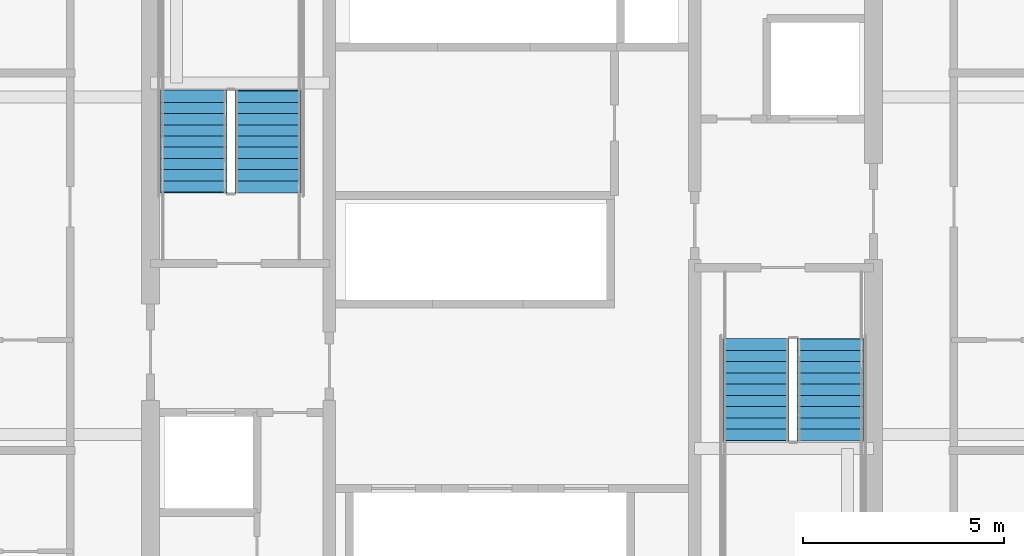
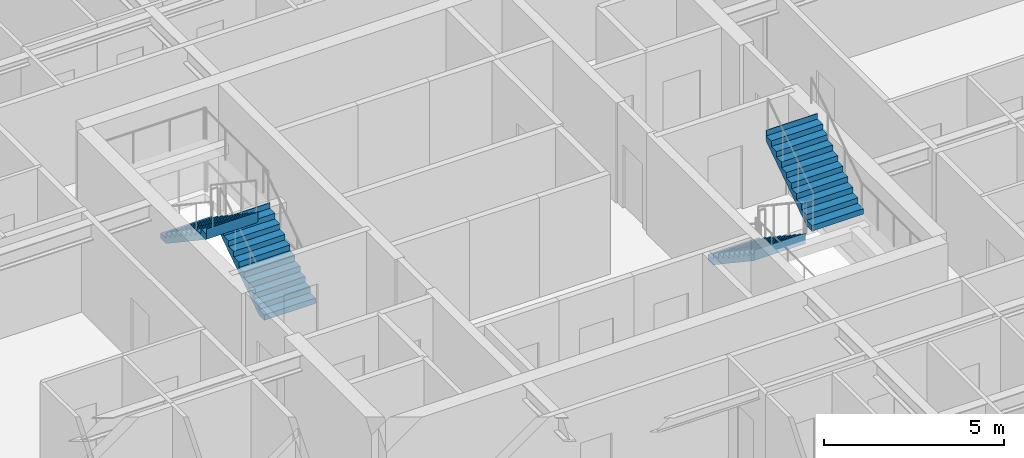
# One storey, part 33 of 40: 4 stair flights, 2 elements without a shape of their own.
"""IFC4 building model written with IfcOpenShell, lengths in metres."""

from ifc_helpers import new_model, si_unit, direction, frame, origin, place, context, subcontext, project, spatial, polygons, material, type_object, element, aggregate, save


model = new_model("IFC4")

# Units and contexts
model_context = context("Model", 3, precision=1e-05, world=origin(), true_north=direction((0.0, 1.0)))
body_context = subcontext(model_context, "Body", "Model", "MODEL_VIEW")
ifc_project = project(units=[si_unit("LENGTHUNIT", "METRE"), si_unit("AREAUNIT", "SQUARE_METRE"), si_unit("VOLUMEUNIT", "CUBIC_METRE"), si_unit("PLANEANGLEUNIT", "RADIAN"), si_unit("MASSUNIT", "GRAM", prefix="KILO")], contexts=[model_context])

# Site, building, storey
site_placement = place(None, origin())
site = spatial("IfcSite", under=ifc_project, at=site_placement, CompositionType="ELEMENT")
building_placement = place(site_placement, origin())
building = spatial("IfcBuilding", under=site, at=building_placement, Name="Serunith Strait Residences", CompositionType="ELEMENT")
storey_placement = place(building_placement, frame((0.0, 0.0, 105.449951171875)))
storey = spatial("IfcBuildingStorey", under=building, at=storey_placement, Name="L26", CompositionType="ELEMENT", Elevation=105.449951171875)

# Stair, stair flights
ifc_material = material(Name="Concrete C50/60", Category="concrete")
stair_type_1 = type_object("IfcStairType", Name="STR-CORE-1", PredefinedType="HALF_TURN_STAIR", material=ifc_material)
stair_1_placement = place(storey_placement, origin())
stair_1 = element("IfcStair", 1, at=stair_1_placement, inside=storey, type_object=stair_type_1, Name="L26 Protected Escape Stair ST-1", PredefinedType="HALF_TURN_STAIR")
stair_flight_type_1 = type_object("IfcStairFlightType", Name="FLT-CORE-1", PredefinedType="STRAIGHT", material=ifc_material)
stair_flight_1_placement = place(storey_placement, frame((26.324951171875, 27.030029296875, 0.0), z_axis=(0.0, 0.0, 1.0), x_axis=(0.0, 1.0, 0.0)))
stair_flight_1 = element("IfcStairFlight", 2, at=stair_flight_1_placement, type_object=stair_flight_type_1, Name="ST-1 flight 1", NumberOfRisers=10, NumberOfTreads=9, PredefinedType="STRAIGHT", RiserHeight=0.1875, TreadLength=0.28, context=body_context, shape_type="Tessellation", body=[
    polygons([(-0.02001953125, -0.824951171875, 0.0), (-0.02001953125, -0.824951171875, 0.1875), (0.280029296875, -0.824951171875, 0.1875), (0.280029296875, -0.824951171875, 0.375), (0.56005859375, -0.824951171875, 0.375), (0.56005859375, -0.824951171875, 0.5625), (0.840087890625, -0.824951171875, 0.5625), (0.840087890625, -0.824951171875, 0.75), (1.1201171875, -0.824951171875, 0.75), (1.1201171875, -0.824951171875, 0.9375), (1.39990234375, -0.824951171875, 0.9375), (1.39990234375, -0.824951171875, 1.125), (1.679931640625, -0.824951171875, 1.125), (1.679931640625, -0.824951171875, 1.3125), (1.9599609375, -0.824951171875, 1.3125), (1.9599609375, -0.824951171875, 1.5), (2.239990234375, -0.824951171875, 1.5), (2.239990234375, -0.824951171875, 1.6875), (2.52001953125, -0.824951171875, 1.6875), (2.52001953125, -0.824951171875, 1.875), (2.5400390625, -0.824951171875, 1.875), (2.5400390625, -0.824951171875, 1.81494140625), (2.52001953125, -0.824951171875, 1.507080078125), (0.26953125, -0.824951171875, 0.0), (-0.02001953125, -0.41259765625, 0.0), (-0.02001953125, -0.41259765625, 0.1875), (0.280029296875, -0.41259765625, 0.1875), (0.280029296875, -0.41259765625, 0.375), (0.56005859375, -0.41259765625, 0.375), (0.56005859375, -0.41259765625, 0.5625), (0.840087890625, -0.41259765625, 0.5625), (0.840087890625, -0.41259765625, 0.75), (1.1201171875, -0.41259765625, 0.75), (1.1201171875, -0.41259765625, 0.9375), (1.39990234375, -0.41259765625, 0.9375), (1.39990234375, -0.41259765625, 1.125), (1.679931640625, -0.41259765625, 1.125), (1.679931640625, -0.41259765625, 1.3125), (1.9599609375, -0.41259765625, 1.3125), (1.9599609375, -0.41259765625, 1.5), (2.239990234375, -0.41259765625, 1.5), (2.239990234375, -0.41259765625, 1.6875), (2.52001953125, -0.41259765625, 1.6875), (2.52001953125, -0.41259765625, 1.875), (2.5400390625, -0.41259765625, 1.875), (2.5400390625, -0.41259765625, 1.81494140625), (2.52001953125, -0.41259765625, 1.507080078125), (0.26953125, -0.41259765625, 0.0), (-0.02001953125, 0.0, 0.0), (-0.02001953125, 0.0, 0.1875), (0.280029296875, 0.0, 0.1875), (0.280029296875, 0.0, 0.375), (0.56005859375, 0.0, 0.375), (0.56005859375, 0.0, 0.5625), (0.840087890625, 0.0, 0.5625), (0.840087890625, 0.0, 0.75), (1.1201171875, 0.0, 0.75), (1.1201171875, 0.0, 0.9375), (1.39990234375, 0.0, 0.9375), (1.39990234375, 0.0, 1.125), (1.679931640625, 0.0, 1.125), (1.679931640625, 0.0, 1.3125), (1.9599609375, 0.0, 1.3125), (1.9599609375, 0.0, 1.5), (2.239990234375, 0.0, 1.5), (2.239990234375, 0.0, 1.6875), (2.52001953125, 0.0, 1.6875), (2.52001953125, 0.0, 1.875), (2.5400390625, 0.0, 1.875), (2.5400390625, 0.0, 1.81494140625), (2.52001953125, 0.0, 1.507080078125), (0.26953125, 0.0, 0.0), (-0.02001953125, 0.41259765625, 0.0), (-0.02001953125, 0.41259765625, 0.1875), (0.280029296875, 0.41259765625, 0.1875), (0.280029296875, 0.41259765625, 0.375), (0.56005859375, 0.41259765625, 0.375), (0.56005859375, 0.41259765625, 0.5625), (0.840087890625, 0.41259765625, 0.5625), (0.840087890625, 0.41259765625, 0.75), (1.1201171875, 0.41259765625, 0.75), (1.1201171875, 0.41259765625, 0.9375), (1.39990234375, 0.41259765625, 0.9375), (1.39990234375, 0.41259765625, 1.125), (1.679931640625, 0.41259765625, 1.125), (1.679931640625, 0.41259765625, 1.3125), (1.9599609375, 0.41259765625, 1.3125), (1.9599609375, 0.41259765625, 1.5), (2.239990234375, 0.41259765625, 1.5), (2.239990234375, 0.41259765625, 1.6875), (2.52001953125, 0.41259765625, 1.6875), (2.52001953125, 0.41259765625, 1.875), (2.5400390625, 0.41259765625, 1.875), (2.5400390625, 0.41259765625, 1.81494140625), (2.52001953125, 0.41259765625, 1.507080078125), (0.26953125, 0.41259765625, 0.0), (-0.02001953125, 0.824951171875, 0.0), (-0.02001953125, 0.824951171875, 0.1875), (0.280029296875, 0.824951171875, 0.1875), (0.280029296875, 0.824951171875, 0.375), (0.56005859375, 0.824951171875, 0.375), (0.56005859375, 0.824951171875, 0.5625), (0.840087890625, 0.824951171875, 0.5625), (0.840087890625, 0.824951171875, 0.75), (1.1201171875, 0.824951171875, 0.75), (1.1201171875, 0.824951171875, 0.9375), (1.39990234375, 0.824951171875, 0.9375), (1.39990234375, 0.824951171875, 1.125), (1.679931640625, 0.824951171875, 1.125), (1.679931640625, 0.824951171875, 1.3125), (1.9599609375, 0.824951171875, 1.3125), (1.9599609375, 0.824951171875, 1.5), (2.239990234375, 0.824951171875, 1.5), (2.239990234375, 0.824951171875, 1.6875), (2.52001953125, 0.824951171875, 1.6875), (2.52001953125, 0.824951171875, 1.875), (2.5400390625, 0.824951171875, 1.875), (2.5400390625, 0.824951171875, 1.81494140625), (2.52001953125, 0.824951171875, 1.507080078125), (0.26953125, 0.824951171875, 0.0)], [[[1, 2, 26, 25]], [[2, 3, 27, 26]], [[3, 4, 28, 27]], [[4, 5, 29, 28]], [[5, 6, 30, 29]], [[6, 7, 31, 30]], [[7, 8, 32, 31]], [[8, 9, 33, 32]], [[9, 10, 34, 33]], [[10, 11, 35, 34]], [[11, 12, 36, 35]], [[12, 13, 37, 36]], [[13, 14, 38, 37]], [[14, 15, 39, 38]], [[15, 16, 40, 39]], [[16, 17, 41, 40]], [[17, 18, 42, 41]], [[18, 19, 43, 42]], [[19, 20, 44, 43]], [[20, 21, 45, 44]], [[21, 22, 46, 45]], [[22, 23, 47, 46]], [[23, 24, 48, 47]], [[24, 1, 25, 48]], [[25, 26, 50, 49]], [[26, 27, 51, 50]], [[27, 28, 52, 51]], [[28, 29, 53, 52]], [[29, 30, 54, 53]], [[30, 31, 55, 54]], [[31, 32, 56, 55]], [[32, 33, 57, 56]], [[33, 34, 58, 57]], [[34, 35, 59, 58]], [[35, 36, 60, 59]], [[36, 37, 61, 60]], [[37, 38, 62, 61]], [[38, 39, 63, 62]], [[39, 40, 64, 63]], [[40, 41, 65, 64]], [[41, 42, 66, 65]], [[42, 43, 67, 66]], [[43, 44, 68, 67]], [[44, 45, 69, 68]], [[45, 46, 70, 69]], [[46, 47, 71, 70]], [[47, 48, 72, 71]], [[48, 25, 49, 72]], [[49, 50, 74, 73]], [[50, 51, 75, 74]], [[51, 52, 76, 75]], [[52, 53, 77, 76]], [[53, 54, 78, 77]], [[54, 55, 79, 78]], [[55, 56, 80, 79]], [[56, 57, 81, 80]], [[57, 58, 82, 81]], [[58, 59, 83, 82]], [[59, 60, 84, 83]], [[60, 61, 85, 84]], [[61, 62, 86, 85]], [[62, 63, 87, 86]], [[63, 64, 88, 87]], [[64, 65, 89, 88]], [[65, 66, 90, 89]], [[66, 67, 91, 90]], [[67, 68, 92, 91]], [[68, 69, 93, 92]], [[69, 70, 94, 93]], [[70, 71, 95, 94]], [[71, 72, 96, 95]], [[72, 49, 73, 96]], [[73, 74, 98, 97]], [[74, 75, 99, 98]], [[75, 76, 100, 99]], [[76, 77, 101, 100]], [[77, 78, 102, 101]], [[78, 79, 103, 102]], [[79, 80, 104, 103]], [[80, 81, 105, 104]], [[81, 82, 106, 105]], [[82, 83, 107, 106]], [[83, 84, 108, 107]], [[84, 85, 109, 108]], [[85, 86, 110, 109]], [[86, 87, 111, 110]], [[87, 88, 112, 111]], [[88, 89, 113, 112]], [[89, 90, 114, 113]], [[90, 91, 115, 114]], [[91, 92, 116, 115]], [[92, 93, 117, 116]], [[93, 94, 118, 117]], [[94, 95, 119, 118]], [[95, 96, 120, 119]], [[96, 73, 97, 120]], [[24, 23, 22, 21, 20, 19, 18, 17, 16, 15, 14, 13, 12, 11, 10, 9, 8, 7, 6, 5, 4, 3, 2, 1]], [[97, 98, 99, 100, 101, 102, 103, 104, 105, 106, 107, 108, 109, 110, 111, 112, 113, 114, 115, 116, 117, 118, 119, 120]]], closed=True),
])
stair_flight_2_placement = place(storey_placement, frame((24.47509765625, 29.550048828125, 1.875), z_axis=(0.0, 0.0, 1.0), x_axis=(0.0, -1.0, 0.0)))
stair_flight_2 = element("IfcStairFlight", 3, at=stair_flight_2_placement, type_object=stair_flight_type_1, Name="ST-1 flight 2", NumberOfRisers=10, NumberOfTreads=9, PredefinedType="STRAIGHT", RiserHeight=0.1875, TreadLength=0.28, context=body_context, shape_type="Tessellation", body=[
    polygons([(-0.02001953125, -0.824951171875, 0.0), (-0.02001953125, -0.824951171875, 0.1875), (0.280029296875, -0.824951171875, 0.1875), (0.280029296875, -0.824951171875, 0.375), (0.56005859375, -0.824951171875, 0.375), (0.56005859375, -0.824951171875, 0.5625), (0.840087890625, -0.824951171875, 0.5625), (0.840087890625, -0.824951171875, 0.75), (1.1201171875, -0.824951171875, 0.75), (1.1201171875, -0.824951171875, 0.9375), (1.39990234375, -0.824951171875, 0.9375), (1.39990234375, -0.824951171875, 1.125), (1.679931640625, -0.824951171875, 1.125), (1.679931640625, -0.824951171875, 1.3125), (1.9599609375, -0.824951171875, 1.3125), (1.9599609375, -0.824951171875, 1.5), (2.239990234375, -0.824951171875, 1.5), (2.239990234375, -0.824951171875, 1.6875), (2.52001953125, -0.824951171875, 1.6875), (2.52001953125, -0.824951171875, 1.875), (2.5400390625, -0.824951171875, 1.875), (2.5400390625, -0.824951171875, 1.81494140625), (2.52001953125, -0.824951171875, 1.507080078125), (0.26953125, -0.824951171875, 0.0), (-0.02001953125, -0.41259765625, 0.0), (-0.02001953125, -0.41259765625, 0.1875), (0.280029296875, -0.41259765625, 0.1875), (0.280029296875, -0.41259765625, 0.375), (0.56005859375, -0.41259765625, 0.375), (0.56005859375, -0.41259765625, 0.5625), (0.840087890625, -0.41259765625, 0.5625), (0.840087890625, -0.41259765625, 0.75), (1.1201171875, -0.41259765625, 0.75), (1.1201171875, -0.41259765625, 0.9375), (1.39990234375, -0.41259765625, 0.9375), (1.39990234375, -0.41259765625, 1.125), (1.679931640625, -0.41259765625, 1.125), (1.679931640625, -0.41259765625, 1.3125), (1.9599609375, -0.41259765625, 1.3125), (1.9599609375, -0.41259765625, 1.5), (2.239990234375, -0.41259765625, 1.5), (2.239990234375, -0.41259765625, 1.6875), (2.52001953125, -0.41259765625, 1.6875), (2.52001953125, -0.41259765625, 1.875), (2.5400390625, -0.41259765625, 1.875), (2.5400390625, -0.41259765625, 1.81494140625), (2.52001953125, -0.41259765625, 1.507080078125), (0.26953125, -0.41259765625, 0.0), (-0.02001953125, 0.0, 0.0), (-0.02001953125, 0.0, 0.1875), (0.280029296875, 0.0, 0.1875), (0.280029296875, 0.0, 0.375), (0.56005859375, 0.0, 0.375), (0.56005859375, 0.0, 0.5625), (0.840087890625, 0.0, 0.5625), (0.840087890625, 0.0, 0.75), (1.1201171875, 0.0, 0.75), (1.1201171875, 0.0, 0.9375), (1.39990234375, 0.0, 0.9375), (1.39990234375, 0.0, 1.125), (1.679931640625, 0.0, 1.125), (1.679931640625, 0.0, 1.3125), (1.9599609375, 0.0, 1.3125), (1.9599609375, 0.0, 1.5), (2.239990234375, 0.0, 1.5), (2.239990234375, 0.0, 1.6875), (2.52001953125, 0.0, 1.6875), (2.52001953125, 0.0, 1.875), (2.5400390625, 0.0, 1.875), (2.5400390625, 0.0, 1.81494140625), (2.52001953125, 0.0, 1.507080078125), (0.26953125, 0.0, 0.0), (-0.02001953125, 0.41259765625, 0.0), (-0.02001953125, 0.41259765625, 0.1875), (0.280029296875, 0.41259765625, 0.1875), (0.280029296875, 0.41259765625, 0.375), (0.56005859375, 0.41259765625, 0.375), (0.56005859375, 0.41259765625, 0.5625), (0.840087890625, 0.41259765625, 0.5625), (0.840087890625, 0.41259765625, 0.75), (1.1201171875, 0.41259765625, 0.75), (1.1201171875, 0.41259765625, 0.9375), (1.39990234375, 0.41259765625, 0.9375), (1.39990234375, 0.41259765625, 1.125), (1.679931640625, 0.41259765625, 1.125), (1.679931640625, 0.41259765625, 1.3125), (1.9599609375, 0.41259765625, 1.3125), (1.9599609375, 0.41259765625, 1.5), (2.239990234375, 0.41259765625, 1.5), (2.239990234375, 0.41259765625, 1.6875), (2.52001953125, 0.41259765625, 1.6875), (2.52001953125, 0.41259765625, 1.875), (2.5400390625, 0.41259765625, 1.875), (2.5400390625, 0.41259765625, 1.81494140625), (2.52001953125, 0.41259765625, 1.507080078125), (0.26953125, 0.41259765625, 0.0), (-0.02001953125, 0.824951171875, 0.0), (-0.02001953125, 0.824951171875, 0.1875), (0.280029296875, 0.824951171875, 0.1875), (0.280029296875, 0.824951171875, 0.375), (0.56005859375, 0.824951171875, 0.375), (0.56005859375, 0.824951171875, 0.5625), (0.840087890625, 0.824951171875, 0.5625), (0.840087890625, 0.824951171875, 0.75), (1.1201171875, 0.824951171875, 0.75), (1.1201171875, 0.824951171875, 0.9375), (1.39990234375, 0.824951171875, 0.9375), (1.39990234375, 0.824951171875, 1.125), (1.679931640625, 0.824951171875, 1.125), (1.679931640625, 0.824951171875, 1.3125), (1.9599609375, 0.824951171875, 1.3125), (1.9599609375, 0.824951171875, 1.5), (2.239990234375, 0.824951171875, 1.5), (2.239990234375, 0.824951171875, 1.6875), (2.52001953125, 0.824951171875, 1.6875), (2.52001953125, 0.824951171875, 1.875), (2.5400390625, 0.824951171875, 1.875), (2.5400390625, 0.824951171875, 1.81494140625), (2.52001953125, 0.824951171875, 1.507080078125), (0.26953125, 0.824951171875, 0.0)], [[[1, 2, 26, 25]], [[2, 3, 27, 26]], [[3, 4, 28, 27]], [[4, 5, 29, 28]], [[5, 6, 30, 29]], [[6, 7, 31, 30]], [[7, 8, 32, 31]], [[8, 9, 33, 32]], [[9, 10, 34, 33]], [[10, 11, 35, 34]], [[11, 12, 36, 35]], [[12, 13, 37, 36]], [[13, 14, 38, 37]], [[14, 15, 39, 38]], [[15, 16, 40, 39]], [[16, 17, 41, 40]], [[17, 18, 42, 41]], [[18, 19, 43, 42]], [[19, 20, 44, 43]], [[20, 21, 45, 44]], [[21, 22, 46, 45]], [[22, 23, 47, 46]], [[23, 24, 48, 47]], [[24, 1, 25, 48]], [[25, 26, 50, 49]], [[26, 27, 51, 50]], [[27, 28, 52, 51]], [[28, 29, 53, 52]], [[29, 30, 54, 53]], [[30, 31, 55, 54]], [[31, 32, 56, 55]], [[32, 33, 57, 56]], [[33, 34, 58, 57]], [[34, 35, 59, 58]], [[35, 36, 60, 59]], [[36, 37, 61, 60]], [[37, 38, 62, 61]], [[38, 39, 63, 62]], [[39, 40, 64, 63]], [[40, 41, 65, 64]], [[41, 42, 66, 65]], [[42, 43, 67, 66]], [[43, 44, 68, 67]], [[44, 45, 69, 68]], [[45, 46, 70, 69]], [[46, 47, 71, 70]], [[47, 48, 72, 71]], [[48, 25, 49, 72]], [[49, 50, 74, 73]], [[50, 51, 75, 74]], [[51, 52, 76, 75]], [[52, 53, 77, 76]], [[53, 54, 78, 77]], [[54, 55, 79, 78]], [[55, 56, 80, 79]], [[56, 57, 81, 80]], [[57, 58, 82, 81]], [[58, 59, 83, 82]], [[59, 60, 84, 83]], [[60, 61, 85, 84]], [[61, 62, 86, 85]], [[62, 63, 87, 86]], [[63, 64, 88, 87]], [[64, 65, 89, 88]], [[65, 66, 90, 89]], [[66, 67, 91, 90]], [[67, 68, 92, 91]], [[68, 69, 93, 92]], [[69, 70, 94, 93]], [[70, 71, 95, 94]], [[71, 72, 96, 95]], [[72, 49, 73, 96]], [[73, 74, 98, 97]], [[74, 75, 99, 98]], [[75, 76, 100, 99]], [[76, 77, 101, 100]], [[77, 78, 102, 101]], [[78, 79, 103, 102]], [[79, 80, 104, 103]], [[80, 81, 105, 104]], [[81, 82, 106, 105]], [[82, 83, 107, 106]], [[83, 84, 108, 107]], [[84, 85, 109, 108]], [[85, 86, 110, 109]], [[86, 87, 111, 110]], [[87, 88, 112, 111]], [[88, 89, 113, 112]], [[89, 90, 114, 113]], [[90, 91, 115, 114]], [[91, 92, 116, 115]], [[92, 93, 117, 116]], [[93, 94, 118, 117]], [[94, 95, 119, 118]], [[95, 96, 120, 119]], [[96, 73, 97, 120]], [[24, 23, 22, 21, 20, 19, 18, 17, 16, 15, 14, 13, 12, 11, 10, 9, 8, 7, 6, 5, 4, 3, 2, 1]], [[97, 98, 99, 100, 101, 102, 103, 104, 105, 106, 107, 108, 109, 110, 111, 112, 113, 114, 115, 116, 117, 118, 119, 120]]], closed=True),
])
aggregate(stair_1, [stair_flight_1, stair_flight_2])

stair_type_2 = type_object("IfcStairType", Name="STR-CORE-2", PredefinedType="HALF_TURN_STAIR", material=ifc_material)
stair_2_placement = place(storey_placement, origin())
stair_2 = element("IfcStair", 4, at=stair_2_placement, inside=storey, type_object=stair_type_2, Name="L26 Protected Escape Stair ST-2", PredefinedType="HALF_TURN_STAIR")
stair_flight_type_2 = type_object("IfcStairFlightType", Name="FLT-CORE-2", PredefinedType="STRAIGHT", material=ifc_material)
stair_flight_3_placement = place(storey_placement, frame((38.47509765625, 23.3701171875, 0.0), z_axis=(0.0, 0.0, 1.0), x_axis=(0.0, -1.0, 0.0)))
stair_flight_3 = element("IfcStairFlight", 5, at=stair_flight_3_placement, type_object=stair_flight_type_2, Name="ST-2 flight 1", NumberOfRisers=10, NumberOfTreads=9, PredefinedType="STRAIGHT", RiserHeight=0.1875, TreadLength=0.28, context=body_context, shape_type="Tessellation", body=[
    polygons([(-0.02001953125, -0.824951171875, 0.0), (-0.02001953125, -0.824951171875, 0.1875), (0.280029296875, -0.824951171875, 0.1875), (0.280029296875, -0.824951171875, 0.375), (0.56005859375, -0.824951171875, 0.375), (0.56005859375, -0.824951171875, 0.5625), (0.840087890625, -0.824951171875, 0.5625), (0.840087890625, -0.824951171875, 0.75), (1.1201171875, -0.824951171875, 0.75), (1.1201171875, -0.824951171875, 0.9375), (1.39990234375, -0.824951171875, 0.9375), (1.39990234375, -0.824951171875, 1.125), (1.679931640625, -0.824951171875, 1.125), (1.679931640625, -0.824951171875, 1.3125), (1.9599609375, -0.824951171875, 1.3125), (1.9599609375, -0.824951171875, 1.5), (2.239990234375, -0.824951171875, 1.5), (2.239990234375, -0.824951171875, 1.6875), (2.52001953125, -0.824951171875, 1.6875), (2.52001953125, -0.824951171875, 1.875), (2.5400390625, -0.824951171875, 1.875), (2.5400390625, -0.824951171875, 1.81494140625), (2.52001953125, -0.824951171875, 1.507080078125), (0.26953125, -0.824951171875, 0.0), (-0.02001953125, -0.41259765625, 0.0), (-0.02001953125, -0.41259765625, 0.1875), (0.280029296875, -0.41259765625, 0.1875), (0.280029296875, -0.41259765625, 0.375), (0.56005859375, -0.41259765625, 0.375), (0.56005859375, -0.41259765625, 0.5625), (0.840087890625, -0.41259765625, 0.5625), (0.840087890625, -0.41259765625, 0.75), (1.1201171875, -0.41259765625, 0.75), (1.1201171875, -0.41259765625, 0.9375), (1.39990234375, -0.41259765625, 0.9375), (1.39990234375, -0.41259765625, 1.125), (1.679931640625, -0.41259765625, 1.125), (1.679931640625, -0.41259765625, 1.3125), (1.9599609375, -0.41259765625, 1.3125), (1.9599609375, -0.41259765625, 1.5), (2.239990234375, -0.41259765625, 1.5), (2.239990234375, -0.41259765625, 1.6875), (2.52001953125, -0.41259765625, 1.6875), (2.52001953125, -0.41259765625, 1.875), (2.5400390625, -0.41259765625, 1.875), (2.5400390625, -0.41259765625, 1.81494140625), (2.52001953125, -0.41259765625, 1.507080078125), (0.26953125, -0.41259765625, 0.0), (-0.02001953125, 0.0, 0.0), (-0.02001953125, 0.0, 0.1875), (0.280029296875, 0.0, 0.1875), (0.280029296875, 0.0, 0.375), (0.56005859375, 0.0, 0.375), (0.56005859375, 0.0, 0.5625), (0.840087890625, 0.0, 0.5625), (0.840087890625, 0.0, 0.75), (1.1201171875, 0.0, 0.75), (1.1201171875, 0.0, 0.9375), (1.39990234375, 0.0, 0.9375), (1.39990234375, 0.0, 1.125), (1.679931640625, 0.0, 1.125), (1.679931640625, 0.0, 1.3125), (1.9599609375, 0.0, 1.3125), (1.9599609375, 0.0, 1.5), (2.239990234375, 0.0, 1.5), (2.239990234375, 0.0, 1.6875), (2.52001953125, 0.0, 1.6875), (2.52001953125, 0.0, 1.875), (2.5400390625, 0.0, 1.875), (2.5400390625, 0.0, 1.81494140625), (2.52001953125, 0.0, 1.507080078125), (0.26953125, 0.0, 0.0), (-0.02001953125, 0.41259765625, 0.0), (-0.02001953125, 0.41259765625, 0.1875), (0.280029296875, 0.41259765625, 0.1875), (0.280029296875, 0.41259765625, 0.375), (0.56005859375, 0.41259765625, 0.375), (0.56005859375, 0.41259765625, 0.5625), (0.840087890625, 0.41259765625, 0.5625), (0.840087890625, 0.41259765625, 0.75), (1.1201171875, 0.41259765625, 0.75), (1.1201171875, 0.41259765625, 0.9375), (1.39990234375, 0.41259765625, 0.9375), (1.39990234375, 0.41259765625, 1.125), (1.679931640625, 0.41259765625, 1.125), (1.679931640625, 0.41259765625, 1.3125), (1.9599609375, 0.41259765625, 1.3125), (1.9599609375, 0.41259765625, 1.5), (2.239990234375, 0.41259765625, 1.5), (2.239990234375, 0.41259765625, 1.6875), (2.52001953125, 0.41259765625, 1.6875), (2.52001953125, 0.41259765625, 1.875), (2.5400390625, 0.41259765625, 1.875), (2.5400390625, 0.41259765625, 1.81494140625), (2.52001953125, 0.41259765625, 1.507080078125), (0.26953125, 0.41259765625, 0.0), (-0.02001953125, 0.824951171875, 0.0), (-0.02001953125, 0.824951171875, 0.1875), (0.280029296875, 0.824951171875, 0.1875), (0.280029296875, 0.824951171875, 0.375), (0.56005859375, 0.824951171875, 0.375), (0.56005859375, 0.824951171875, 0.5625), (0.840087890625, 0.824951171875, 0.5625), (0.840087890625, 0.824951171875, 0.75), (1.1201171875, 0.824951171875, 0.75), (1.1201171875, 0.824951171875, 0.9375), (1.39990234375, 0.824951171875, 0.9375), (1.39990234375, 0.824951171875, 1.125), (1.679931640625, 0.824951171875, 1.125), (1.679931640625, 0.824951171875, 1.3125), (1.9599609375, 0.824951171875, 1.3125), (1.9599609375, 0.824951171875, 1.5), (2.239990234375, 0.824951171875, 1.5), (2.239990234375, 0.824951171875, 1.6875), (2.52001953125, 0.824951171875, 1.6875), (2.52001953125, 0.824951171875, 1.875), (2.5400390625, 0.824951171875, 1.875), (2.5400390625, 0.824951171875, 1.81494140625), (2.52001953125, 0.824951171875, 1.507080078125), (0.26953125, 0.824951171875, 0.0)], [[[1, 2, 26, 25]], [[2, 3, 27, 26]], [[3, 4, 28, 27]], [[4, 5, 29, 28]], [[5, 6, 30, 29]], [[6, 7, 31, 30]], [[7, 8, 32, 31]], [[8, 9, 33, 32]], [[9, 10, 34, 33]], [[10, 11, 35, 34]], [[11, 12, 36, 35]], [[12, 13, 37, 36]], [[13, 14, 38, 37]], [[14, 15, 39, 38]], [[15, 16, 40, 39]], [[16, 17, 41, 40]], [[17, 18, 42, 41]], [[18, 19, 43, 42]], [[19, 20, 44, 43]], [[20, 21, 45, 44]], [[21, 22, 46, 45]], [[22, 23, 47, 46]], [[23, 24, 48, 47]], [[24, 1, 25, 48]], [[25, 26, 50, 49]], [[26, 27, 51, 50]], [[27, 28, 52, 51]], [[28, 29, 53, 52]], [[29, 30, 54, 53]], [[30, 31, 55, 54]], [[31, 32, 56, 55]], [[32, 33, 57, 56]], [[33, 34, 58, 57]], [[34, 35, 59, 58]], [[35, 36, 60, 59]], [[36, 37, 61, 60]], [[37, 38, 62, 61]], [[38, 39, 63, 62]], [[39, 40, 64, 63]], [[40, 41, 65, 64]], [[41, 42, 66, 65]], [[42, 43, 67, 66]], [[43, 44, 68, 67]], [[44, 45, 69, 68]], [[45, 46, 70, 69]], [[46, 47, 71, 70]], [[47, 48, 72, 71]], [[48, 25, 49, 72]], [[49, 50, 74, 73]], [[50, 51, 75, 74]], [[51, 52, 76, 75]], [[52, 53, 77, 76]], [[53, 54, 78, 77]], [[54, 55, 79, 78]], [[55, 56, 80, 79]], [[56, 57, 81, 80]], [[57, 58, 82, 81]], [[58, 59, 83, 82]], [[59, 60, 84, 83]], [[60, 61, 85, 84]], [[61, 62, 86, 85]], [[62, 63, 87, 86]], [[63, 64, 88, 87]], [[64, 65, 89, 88]], [[65, 66, 90, 89]], [[66, 67, 91, 90]], [[67, 68, 92, 91]], [[68, 69, 93, 92]], [[69, 70, 94, 93]], [[70, 71, 95, 94]], [[71, 72, 96, 95]], [[72, 49, 73, 96]], [[73, 74, 98, 97]], [[74, 75, 99, 98]], [[75, 76, 100, 99]], [[76, 77, 101, 100]], [[77, 78, 102, 101]], [[78, 79, 103, 102]], [[79, 80, 104, 103]], [[80, 81, 105, 104]], [[81, 82, 106, 105]], [[82, 83, 107, 106]], [[83, 84, 108, 107]], [[84, 85, 109, 108]], [[85, 86, 110, 109]], [[86, 87, 111, 110]], [[87, 88, 112, 111]], [[88, 89, 113, 112]], [[89, 90, 114, 113]], [[90, 91, 115, 114]], [[91, 92, 116, 115]], [[92, 93, 117, 116]], [[93, 94, 118, 117]], [[94, 95, 119, 118]], [[95, 96, 120, 119]], [[96, 73, 97, 120]], [[24, 23, 22, 21, 20, 19, 18, 17, 16, 15, 14, 13, 12, 11, 10, 9, 8, 7, 6, 5, 4, 3, 2, 1]], [[97, 98, 99, 100, 101, 102, 103, 104, 105, 106, 107, 108, 109, 110, 111, 112, 113, 114, 115, 116, 117, 118, 119, 120]]], closed=True),
])
stair_flight_4_placement = place(storey_placement, frame((40.324951171875, 20.85009765625, 1.875), z_axis=(0.0, 0.0, 1.0), x_axis=(0.0, 1.0, 0.0)))
stair_flight_4 = element("IfcStairFlight", 6, at=stair_flight_4_placement, type_object=stair_flight_type_2, Name="ST-2 flight 2", NumberOfRisers=10, NumberOfTreads=9, PredefinedType="STRAIGHT", RiserHeight=0.1875, TreadLength=0.28, context=body_context, shape_type="Tessellation", body=[
    polygons([(-0.02001953125, -0.824951171875, 0.0), (-0.02001953125, -0.824951171875, 0.1875), (0.280029296875, -0.824951171875, 0.1875), (0.280029296875, -0.824951171875, 0.375), (0.56005859375, -0.824951171875, 0.375), (0.56005859375, -0.824951171875, 0.5625), (0.840087890625, -0.824951171875, 0.5625), (0.840087890625, -0.824951171875, 0.75), (1.1201171875, -0.824951171875, 0.75), (1.1201171875, -0.824951171875, 0.9375), (1.39990234375, -0.824951171875, 0.9375), (1.39990234375, -0.824951171875, 1.125), (1.679931640625, -0.824951171875, 1.125), (1.679931640625, -0.824951171875, 1.3125), (1.9599609375, -0.824951171875, 1.3125), (1.9599609375, -0.824951171875, 1.5), (2.239990234375, -0.824951171875, 1.5), (2.239990234375, -0.824951171875, 1.6875), (2.52001953125, -0.824951171875, 1.6875), (2.52001953125, -0.824951171875, 1.875), (2.5400390625, -0.824951171875, 1.875), (2.5400390625, -0.824951171875, 1.81494140625), (2.52001953125, -0.824951171875, 1.507080078125), (0.26953125, -0.824951171875, 0.0), (-0.02001953125, -0.41259765625, 0.0), (-0.02001953125, -0.41259765625, 0.1875), (0.280029296875, -0.41259765625, 0.1875), (0.280029296875, -0.41259765625, 0.375), (0.56005859375, -0.41259765625, 0.375), (0.56005859375, -0.41259765625, 0.5625), (0.840087890625, -0.41259765625, 0.5625), (0.840087890625, -0.41259765625, 0.75), (1.1201171875, -0.41259765625, 0.75), (1.1201171875, -0.41259765625, 0.9375), (1.39990234375, -0.41259765625, 0.9375), (1.39990234375, -0.41259765625, 1.125), (1.679931640625, -0.41259765625, 1.125), (1.679931640625, -0.41259765625, 1.3125), (1.9599609375, -0.41259765625, 1.3125), (1.9599609375, -0.41259765625, 1.5), (2.239990234375, -0.41259765625, 1.5), (2.239990234375, -0.41259765625, 1.6875), (2.52001953125, -0.41259765625, 1.6875), (2.52001953125, -0.41259765625, 1.875), (2.5400390625, -0.41259765625, 1.875), (2.5400390625, -0.41259765625, 1.81494140625), (2.52001953125, -0.41259765625, 1.507080078125), (0.26953125, -0.41259765625, 0.0), (-0.02001953125, 0.0, 0.0), (-0.02001953125, 0.0, 0.1875), (0.280029296875, 0.0, 0.1875), (0.280029296875, 0.0, 0.375), (0.56005859375, 0.0, 0.375), (0.56005859375, 0.0, 0.5625), (0.840087890625, 0.0, 0.5625), (0.840087890625, 0.0, 0.75), (1.1201171875, 0.0, 0.75), (1.1201171875, 0.0, 0.9375), (1.39990234375, 0.0, 0.9375), (1.39990234375, 0.0, 1.125), (1.679931640625, 0.0, 1.125), (1.679931640625, 0.0, 1.3125), (1.9599609375, 0.0, 1.3125), (1.9599609375, 0.0, 1.5), (2.239990234375, 0.0, 1.5), (2.239990234375, 0.0, 1.6875), (2.52001953125, 0.0, 1.6875), (2.52001953125, 0.0, 1.875), (2.5400390625, 0.0, 1.875), (2.5400390625, 0.0, 1.81494140625), (2.52001953125, 0.0, 1.507080078125), (0.26953125, 0.0, 0.0), (-0.02001953125, 0.41259765625, 0.0), (-0.02001953125, 0.41259765625, 0.1875), (0.280029296875, 0.41259765625, 0.1875), (0.280029296875, 0.41259765625, 0.375), (0.56005859375, 0.41259765625, 0.375), (0.56005859375, 0.41259765625, 0.5625), (0.840087890625, 0.41259765625, 0.5625), (0.840087890625, 0.41259765625, 0.75), (1.1201171875, 0.41259765625, 0.75), (1.1201171875, 0.41259765625, 0.9375), (1.39990234375, 0.41259765625, 0.9375), (1.39990234375, 0.41259765625, 1.125), (1.679931640625, 0.41259765625, 1.125), (1.679931640625, 0.41259765625, 1.3125), (1.9599609375, 0.41259765625, 1.3125), (1.9599609375, 0.41259765625, 1.5), (2.239990234375, 0.41259765625, 1.5), (2.239990234375, 0.41259765625, 1.6875), (2.52001953125, 0.41259765625, 1.6875), (2.52001953125, 0.41259765625, 1.875), (2.5400390625, 0.41259765625, 1.875), (2.5400390625, 0.41259765625, 1.81494140625), (2.52001953125, 0.41259765625, 1.507080078125), (0.26953125, 0.41259765625, 0.0), (-0.02001953125, 0.824951171875, 0.0), (-0.02001953125, 0.824951171875, 0.1875), (0.280029296875, 0.824951171875, 0.1875), (0.280029296875, 0.824951171875, 0.375), (0.56005859375, 0.824951171875, 0.375), (0.56005859375, 0.824951171875, 0.5625), (0.840087890625, 0.824951171875, 0.5625), (0.840087890625, 0.824951171875, 0.75), (1.1201171875, 0.824951171875, 0.75), (1.1201171875, 0.824951171875, 0.9375), (1.39990234375, 0.824951171875, 0.9375), (1.39990234375, 0.824951171875, 1.125), (1.679931640625, 0.824951171875, 1.125), (1.679931640625, 0.824951171875, 1.3125), (1.9599609375, 0.824951171875, 1.3125), (1.9599609375, 0.824951171875, 1.5), (2.239990234375, 0.824951171875, 1.5), (2.239990234375, 0.824951171875, 1.6875), (2.52001953125, 0.824951171875, 1.6875), (2.52001953125, 0.824951171875, 1.875), (2.5400390625, 0.824951171875, 1.875), (2.5400390625, 0.824951171875, 1.81494140625), (2.52001953125, 0.824951171875, 1.507080078125), (0.26953125, 0.824951171875, 0.0)], [[[1, 2, 26, 25]], [[2, 3, 27, 26]], [[3, 4, 28, 27]], [[4, 5, 29, 28]], [[5, 6, 30, 29]], [[6, 7, 31, 30]], [[7, 8, 32, 31]], [[8, 9, 33, 32]], [[9, 10, 34, 33]], [[10, 11, 35, 34]], [[11, 12, 36, 35]], [[12, 13, 37, 36]], [[13, 14, 38, 37]], [[14, 15, 39, 38]], [[15, 16, 40, 39]], [[16, 17, 41, 40]], [[17, 18, 42, 41]], [[18, 19, 43, 42]], [[19, 20, 44, 43]], [[20, 21, 45, 44]], [[21, 22, 46, 45]], [[22, 23, 47, 46]], [[23, 24, 48, 47]], [[24, 1, 25, 48]], [[25, 26, 50, 49]], [[26, 27, 51, 50]], [[27, 28, 52, 51]], [[28, 29, 53, 52]], [[29, 30, 54, 53]], [[30, 31, 55, 54]], [[31, 32, 56, 55]], [[32, 33, 57, 56]], [[33, 34, 58, 57]], [[34, 35, 59, 58]], [[35, 36, 60, 59]], [[36, 37, 61, 60]], [[37, 38, 62, 61]], [[38, 39, 63, 62]], [[39, 40, 64, 63]], [[40, 41, 65, 64]], [[41, 42, 66, 65]], [[42, 43, 67, 66]], [[43, 44, 68, 67]], [[44, 45, 69, 68]], [[45, 46, 70, 69]], [[46, 47, 71, 70]], [[47, 48, 72, 71]], [[48, 25, 49, 72]], [[49, 50, 74, 73]], [[50, 51, 75, 74]], [[51, 52, 76, 75]], [[52, 53, 77, 76]], [[53, 54, 78, 77]], [[54, 55, 79, 78]], [[55, 56, 80, 79]], [[56, 57, 81, 80]], [[57, 58, 82, 81]], [[58, 59, 83, 82]], [[59, 60, 84, 83]], [[60, 61, 85, 84]], [[61, 62, 86, 85]], [[62, 63, 87, 86]], [[63, 64, 88, 87]], [[64, 65, 89, 88]], [[65, 66, 90, 89]], [[66, 67, 91, 90]], [[67, 68, 92, 91]], [[68, 69, 93, 92]], [[69, 70, 94, 93]], [[70, 71, 95, 94]], [[71, 72, 96, 95]], [[72, 49, 73, 96]], [[73, 74, 98, 97]], [[74, 75, 99, 98]], [[75, 76, 100, 99]], [[76, 77, 101, 100]], [[77, 78, 102, 101]], [[78, 79, 103, 102]], [[79, 80, 104, 103]], [[80, 81, 105, 104]], [[81, 82, 106, 105]], [[82, 83, 107, 106]], [[83, 84, 108, 107]], [[84, 85, 109, 108]], [[85, 86, 110, 109]], [[86, 87, 111, 110]], [[87, 88, 112, 111]], [[88, 89, 113, 112]], [[89, 90, 114, 113]], [[90, 91, 115, 114]], [[91, 92, 116, 115]], [[92, 93, 117, 116]], [[93, 94, 118, 117]], [[94, 95, 119, 118]], [[95, 96, 120, 119]], [[96, 73, 97, 120]], [[24, 23, 22, 21, 20, 19, 18, 17, 16, 15, 14, 13, 12, 11, 10, 9, 8, 7, 6, 5, 4, 3, 2, 1]], [[97, 98, 99, 100, 101, 102, 103, 104, 105, 106, 107, 108, 109, 110, 111, 112, 113, 114, 115, 116, 117, 118, 119, 120]]], closed=True),
])
aggregate(stair_2, [stair_flight_3, stair_flight_4])

save(model, "model.ifc")
